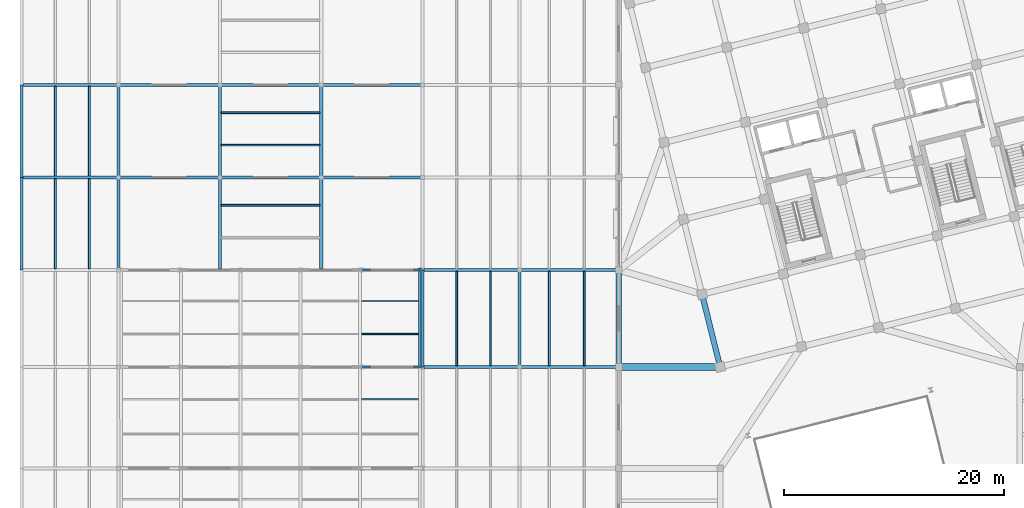
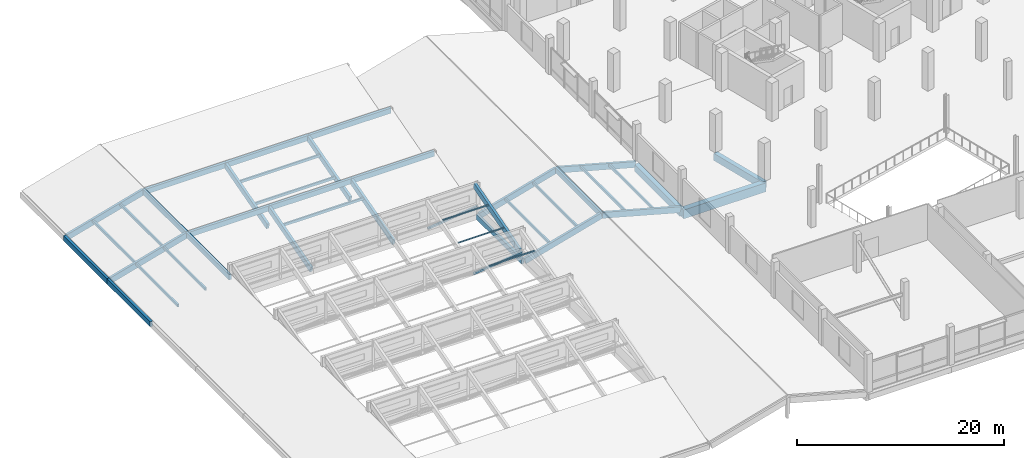
# One storey, part 17 of 77: 26 beams, 16 members.
"""IFC4 building model written with IfcOpenShell, lengths in metres."""

from ifc_helpers import new_model, si_unit, direction, frame, origin, origin_2d, place, context, subcontext, project, spatial, rectangle, hollow_rectangle, hollow_circle, extrude, material, material_profile, profile_set, type_object, element, save


model = new_model("IFC4")

# Units and contexts
model_context = context("Model", 3, precision=1e-05, world=origin(), true_north=direction((0.0, 1.0)))
body_context = subcontext(model_context, "Body", "Model", "MODEL_VIEW")
ifc_project = project(units=[si_unit("LENGTHUNIT", "METRE"), si_unit("AREAUNIT", "SQUARE_METRE"), si_unit("VOLUMEUNIT", "CUBIC_METRE"), si_unit("PLANEANGLEUNIT", "RADIAN"), si_unit("MASSUNIT", "GRAM", prefix="KILO")], contexts=[model_context])

# Site, building, storey
site_placement = place(None, origin())
site = spatial("IfcSite", under=ifc_project, at=site_placement, CompositionType="ELEMENT")
building_placement = place(site_placement, origin())
building = spatial("IfcBuilding", under=site, at=building_placement, Name="Meriwether Solvik Hall", CompositionType="ELEMENT")
storey_placement = place(building_placement, frame((0.0, 0.0, 9.89990234375)))
storey = spatial("IfcBuildingStorey", under=building, at=storey_placement, Name="L02", CompositionType="ELEMENT", Elevation=9.89990234375)

# Beams
ifc_material_1 = material(Name="Glulam Douglas-Fir 24F-V8 GL28h", Category="wood")
ifc_material_profile_1 = material_profile(ifc_material_1, rectangle(XDim=0.27294921875, YDim=0.610107421875, at=origin_2d()), Name="GLB-273X610")
ifc_profile_set_1 = profile_set([ifc_material_profile_1], Name="Glulam Douglas-Fir 24F-V8 GL28h")
beam_type_1 = type_object("IfcBeamType", Name="BM-GL-273X610", PredefinedType="SPANDREL", material=ifc_profile_set_1)
beam_1_placement = place(storey_placement, frame((5.199951171875, 50.0, -0.323974609375), z_axis=(0.0, 1.0, 0.0), x_axis=(-1.0, 0.0, 0.0)))
element("IfcBeam", 1, at=beam_1_placement, inside=storey, type_object=beam_type_1, Name="Roof Tie Beam 1:F-G (L02)", PredefinedType="SPANDREL", context=body_context, shape_type="SweptSolid", body=[
    extrude(rectangle(XDim=0.27294921875, YDim=0.610107421875, at=origin_2d()), origin(), (0.0, 0.0, 1.0), 8.39990234375),
])
beam_2_placement = place(storey_placement, frame((5.199951171875, 58.39990234375, -0.323974609375), z_axis=(0.0, 1.0, 0.0), x_axis=(-1.0, 0.0, 0.0)))
element("IfcBeam", 2, at=beam_2_placement, inside=storey, type_object=beam_type_1, Name="Roof Tie Beam 1:G-H (L02)", PredefinedType="SPANDREL", context=body_context, shape_type="SweptSolid", body=[
    extrude(rectangle(XDim=0.27294921875, YDim=0.610107421875, at=origin_2d()), origin(), (0.0, 0.0, 1.0), 8.400146484375),
])
beam_3_placement = place(storey_placement, frame((14.0, 50.0, 2.135986328125), z_axis=(0.0, 1.0, 0.0), x_axis=(-1.0, 0.0, 0.0)))
element("IfcBeam", 3, at=beam_3_placement, inside=storey, type_object=beam_type_1, Name="Roof Tie Beam 2:F-G (L02)", PredefinedType="SPANDREL", context=body_context, shape_type="SweptSolid", body=[
    extrude(rectangle(XDim=0.27294921875, YDim=0.610107421875, at=origin_2d()), origin(), (0.0, 0.0, 1.0), 8.39990234375),
])
beam_4_placement = place(storey_placement, frame((14.0, 58.39990234375, 2.135986328125), z_axis=(0.0, 1.0, 0.0), x_axis=(-1.0, 0.0, 0.0)))
element("IfcBeam", 4, at=beam_4_placement, inside=storey, type_object=beam_type_1, Name="Roof Tie Beam 2:G-H (L02)", PredefinedType="SPANDREL", context=body_context, shape_type="SweptSolid", body=[
    extrude(rectangle(XDim=0.27294921875, YDim=0.610107421875, at=origin_2d()), origin(), (0.0, 0.0, 1.0), 8.400146484375),
])
for number, where, z_axis, x_axis, name in (
    (5, (14.0, 58.39990234375, 2.035888671875), (1.0, 0.0, 0.0), (0.0, 1.0, 0.0), "Roof Tie Beam G:2-3 (L02)"),
    (6, (23.199951171875, 58.39990234375, 2.035888671875), (1.0, 0.0, 0.0), (0.0, 1.0, 0.0), "Roof Tie Beam G:3-4 (L02)"),
):
    element("IfcBeam", number, at=place(storey_placement, frame(where, z_axis=z_axis, x_axis=x_axis)), inside=storey, type_object=beam_type_1, Name=name, PredefinedType="SPANDREL", context=body_context, shape_type="SweptSolid", body=[
        extrude(rectangle(XDim=0.27294921875, YDim=0.610107421875, at=origin_2d()), origin(), (0.0, 0.0, 1.0), 9.199951171875),
    ])
beam_5_placement = place(storey_placement, frame((32.39990234375, 58.39990234375, 2.035888671875), z_axis=(1.0, 0.0, 0.0), x_axis=(0.0, 1.0, 0.0)))
element("IfcBeam", 7, at=beam_5_placement, inside=storey, type_object=beam_type_1, Name="Roof Tie Beam G:4-5 (L02)", PredefinedType="SPANDREL", context=body_context, shape_type="SweptSolid", body=[
    extrude(rectangle(XDim=0.27294921875, YDim=0.610107421875, at=origin_2d()), origin(), (0.0, 0.0, 1.0), 9.2001953125),
])
for number, where, z_axis, x_axis, name in (
    (8, (14.0, 66.800048828125, 2.035888671875), (1.0, 0.0, 0.0), (0.0, 1.0, 0.0), "Roof Tie Beam H:2-3 (L02)"),
    (9, (23.199951171875, 66.800048828125, 2.035888671875), (1.0, 0.0, 0.0), (0.0, 1.0, 0.0), "Roof Tie Beam H:3-4 (L02)"),
):
    element("IfcBeam", number, at=place(storey_placement, frame(where, z_axis=z_axis, x_axis=x_axis)), inside=storey, type_object=beam_type_1, Name=name, PredefinedType="SPANDREL", context=body_context, shape_type="SweptSolid", body=[
        extrude(rectangle(XDim=0.27294921875, YDim=0.610107421875, at=origin_2d()), origin(), (0.0, 0.0, 1.0), 9.199951171875),
    ])
beam_6_placement = place(storey_placement, frame((32.39990234375, 66.800048828125, 2.035888671875), z_axis=(1.0, 0.0, 0.0), x_axis=(0.0, 1.0, 0.0)))
element("IfcBeam", 10, at=beam_6_placement, inside=storey, type_object=beam_type_1, Name="Roof Tie Beam H:4-5 (L02)", PredefinedType="SPANDREL", context=body_context, shape_type="SweptSolid", body=[
    extrude(rectangle(XDim=0.27294921875, YDim=0.610107421875, at=origin_2d()), origin(), (0.0, 0.0, 1.0), 9.2001953125),
])
for number, where, z_axis, x_axis, name in (
    (11, (41.60009765625, 41.199951171875, -0.323974609375), (0.0, 1.0, 0.0), (-1.0, 0.0, 0.0), "Roof Tie Beam 5:E-F (L02)"),
    (12, (50.39990234375, 41.199951171875, 2.135986328125), (0.0, 1.0, 0.0), (-1.0, 0.0, 0.0), "Roof Tie Beam 6:E-F (L02)"),
):
    element("IfcBeam", number, at=place(storey_placement, frame(where, z_axis=z_axis, x_axis=x_axis)), inside=storey, type_object=beam_type_1, Name=name, PredefinedType="SPANDREL", context=body_context, shape_type="SweptSolid", body=[
        extrude(rectangle(XDim=0.27294921875, YDim=0.610107421875, at=origin_2d()), origin(), (0.0, 0.0, 1.0), 8.800048828125),
    ])
ifc_material_2 = material(Name="Glulam Douglas-Fir 24F-V8 GL28h", Category="wood")
ifc_material_profile_2 = material_profile(ifc_material_2, rectangle(XDim=0.27294921875, YDim=0.68505859375, at=origin_2d()), Name="GLB-273X685")
ifc_profile_set_2 = profile_set([ifc_material_profile_2], Name="Glulam Douglas-Fir 24F-V8 GL28h")
beam_type_2 = type_object("IfcBeamType", Name="BM-GL-273X685", PredefinedType="BEAM", material=ifc_profile_set_2)
for number, where, z_axis, x_axis, name in (
    (13, (5.420166015625, 58.39990234375, -0.31298828125), (0.963077401933, 0.0, 0.269224660621), (0.0, 1.0, 0.0), "Raking Glulam Roof Rafter w1_west_aisle-G (L02)"),
    (14, (5.420166015625, 66.800048828125, -0.31298828125), (0.963077401933, 0.0, 0.269224660621), (0.0, 1.0, 0.0), "Raking Glulam Roof Rafter w1_west_aisle-H (L02)"),
):
    element("IfcBeam", number, at=place(storey_placement, frame(where, z_axis=z_axis, x_axis=x_axis)), inside=storey, type_object=beam_type_2, Name=name, PredefinedType="BEAM", context=body_context, shape_type="SweptSolid", body=[
        extrude(rectangle(XDim=0.27294921875, YDim=0.68505859375, at=origin_2d()), origin(), (0.0, 0.0, 1.0), 8.87158203125),
    ])
for number, where, z_axis, x_axis, name in (
    (15, (23.199951171875, 50.220703125, -0.312744140625), (0.0, 0.962733168116, 0.270453040303), (-1.0, 0.0, 0.0), "Raking Glulam Roof Rafter w1_north_s1-3 (L02)"),
    (16, (32.39990234375, 50.220703125, -0.312744140625), (0.0, 0.962733168116, 0.270453040303), (-1.0, 0.0, 0.0), "Raking Glulam Roof Rafter w1_north_s1-4 (L02)"),
    (17, (23.199951171875, 58.62060546875, -0.312744140625), (0.0, 0.962733168116, 0.270453040303), (-1.0, 0.0, 0.0), "Raking Glulam Roof Rafter w1_north_s2-3 (L02)"),
    (18, (32.39990234375, 58.62060546875, -0.312744140625), (0.0, 0.962733168116, 0.270453040303), (-1.0, 0.0, 0.0), "Raking Glulam Roof Rafter w1_north_s2-4 (L02)"),
):
    element("IfcBeam", number, at=place(storey_placement, frame(where, z_axis=z_axis, x_axis=x_axis)), inside=storey, type_object=beam_type_2, Name=name, PredefinedType="BEAM", context=body_context, shape_type="SweptSolid", body=[
        extrude(rectangle(XDim=0.27294921875, YDim=0.68505859375, at=origin_2d()), origin(), (0.0, 0.0, 1.0), 8.459228515625),
    ])
for number, where, z_axis, x_axis, name in (
    (19, (41.8203125, 41.199951171875, -0.31298828125), (0.963077401933, 0.0, 0.269224660621), (0.0, 1.0, 0.0), "Raking Glulam Roof Rafter w1_east_gbl_w-E (L02)"),
    (20, (41.8203125, 50.0, -0.31298828125), (0.963077401933, 0.0, 0.269224660621), (0.0, 1.0, 0.0), "Raking Glulam Roof Rafter w1_east_gbl_w-F (L02)"),
):
    element("IfcBeam", number, at=place(storey_placement, frame(where, z_axis=z_axis, x_axis=x_axis)), inside=storey, type_object=beam_type_2, Name=name, PredefinedType="BEAM", context=body_context, shape_type="SweptSolid", body=[
        extrude(rectangle(XDim=0.27294921875, YDim=0.68505859375, at=origin_2d()), origin(), (0.0, 0.0, 1.0), 8.87158203125),
    ])
for number, where, z_axis, x_axis, name in (
    (21, (59.181640625, 41.199951171875, -0.314208984375), (-0.964611383686, 0.0, 0.263675707002), (0.0, -1.0, 0.0), "Raking Glulam Roof Rafter w1_east_gbl_e-E (L02)"),
    (22, (59.181640625, 50.0, -0.314208984375), (-0.964611383686, 0.0, 0.263675707002), (0.0, -1.0, 0.0), "Raking Glulam Roof Rafter w1_east_gbl_e-F (L02)"),
):
    element("IfcBeam", number, at=place(storey_placement, frame(where, z_axis=z_axis, x_axis=x_axis)), inside=storey, type_object=beam_type_2, Name=name, PredefinedType="BEAM", context=body_context, shape_type="SweptSolid", body=[
        extrude(rectangle(XDim=0.27294921875, YDim=0.68505859375, at=origin_2d()), origin(), (0.0, 0.0, 1.0), 9.064697265625),
    ])
beam_7_placement = place(storey_placement, frame((41.360107421875, 41.293701171875, 0.895751953125), z_axis=(0.0, 0.961933763025, 0.273282702624), x_axis=(-1.0, 0.0, 0.0)))
element("IfcBeam", 23, at=beam_7_placement, inside=storey, type_object=beam_type_2, Name="Sanctuary Sawtooth Rafter 4.6", PredefinedType="BEAM", context=body_context, shape_type="SweptSolid", body=[
    extrude(rectangle(XDim=0.27294921875, YDim=0.68505859375, at=origin_2d()), origin(), (0.0, 0.0, 1.0), 9.14794921875),
])
ifc_material_3 = material(Name="Concrete C40/50", Category="concrete")
ifc_material_profile_3 = material_profile(ifc_material_3, rectangle(XDim=0.5, YDim=0.85009765625, at=origin_2d()), Name="RCB-500X850")
ifc_profile_set_3 = profile_set([ifc_material_profile_3], Name="Concrete C40/50")
beam_type_3 = type_object("IfcBeamType", Name="BM-RC-500X850", PredefinedType="BEAM", material=ifc_profile_set_3)
beam_8_placement = place(storey_placement, frame((59.39990234375, 41.199951171875, -0.7548828125), z_axis=(0.0, 1.0, 0.0), x_axis=(-1.0, 0.0, 0.0)))
element("IfcBeam", 24, at=beam_8_placement, inside=storey, type_object=beam_type_3, Name="Podium Girder 7:E-F (L02)", PredefinedType="BEAM", context=body_context, shape_type="SweptSolid", body=[
    extrude(rectangle(XDim=0.5, YDim=0.85009765625, at=origin_2d()), origin(), (0.0, 0.0, 1.0), 8.800048828125),
])
beam_9_placement = place(storey_placement, frame((68.60009765625, 41.199951171875, -0.7548828125), z_axis=(-0.241944251278, 0.970290152106, 0.0), x_axis=(-0.970290152106, -0.241944251278, 0.0)))
element("IfcBeam", 25, at=beam_9_placement, inside=storey, type_object=beam_type_3, Name="Tower Girder T1:TA-TB (L02)", PredefinedType="BEAM", context=body_context, shape_type="SweptSolid", body=[
    extrude(rectangle(XDim=0.5, YDim=0.85009765625, at=origin_2d()), origin(), (0.0, 0.0, 1.0), 6.80029296875),
])
ifc_material_4 = material(Name="Concrete C40/50", Category="concrete")
ifc_material_profile_4 = material_profile(ifc_material_4, rectangle(XDim=0.60009765625, YDim=1.050048828125, at=origin_2d()), Name="RCB-600X1050")
ifc_profile_set_4 = profile_set([ifc_material_profile_4], Name="Concrete C40/50")
beam_type_4 = type_object("IfcBeamType", Name="BM-RC-600X1050", PredefinedType="BEAM", material=ifc_profile_set_4)
beam_10_placement = place(storey_placement, frame((68.60009765625, 41.199951171875, -0.85498046875), z_axis=(-1.0, 0.0, 0.0), x_axis=(0.0, -1.0, 0.0)))
element("IfcBeam", 26, at=beam_10_placement, inside=storey, type_object=beam_type_4, Name="Diaphragm Collector Girder T1/TA-7/E (L02)", PredefinedType="BEAM", context=body_context, shape_type="SweptSolid", body=[
    extrude(rectangle(XDim=0.60009765625, YDim=1.050048828125, at=origin_2d()), origin(), (0.0, 0.0, 1.0), 9.2001953125),
])

# Members
ifc_material_5 = material(Name="Steel A500 Grade C", Category="steel")
ifc_material_profile_5 = material_profile(ifc_material_5, hollow_rectangle(XDim=0.202880859375, YDim=0.202880859375, WallThickness=0.0126953125, at=origin_2d()), Name="HSS203X203X12.7")
ifc_profile_set_5 = profile_set([ifc_material_profile_5], Name="Steel A500 Grade C")
member_type_1 = type_object("IfcMemberType", Name="MEM-BR-HSS203", PredefinedType="BRACE", material=ifc_profile_set_5)
member_1_placement = place(storey_placement, frame((36.080078125, 41.199951171875, 0.150146484375), z_axis=(0.993841313907, 0.0, 0.110812647163), x_axis=(0.0, 1.0, 0.0)))
element("IfcMember", 27, at=member_1_placement, inside=storey, type_object=member_type_1, Name="Sanctuary Truss T4 Diagonal 5", PredefinedType="BRACE", context=body_context, shape_type="SweptSolid", body=[
    extrude(hollow_rectangle(XDim=0.202880859375, YDim=0.202880859375, WallThickness=0.0126953125, at=origin_2d()), origin(), (0.0, 0.0, 1.0), 5.55419921875),
])
member_2_placement = place(storey_placement, frame((36.080078125, 50.0, 0.150146484375), z_axis=(0.992279227016, 0.0, 0.124023931692), x_axis=(0.0, 1.0, 0.0)))
element("IfcMember", 28, at=member_2_placement, inside=storey, type_object=member_type_1, Name="Sanctuary Truss T5 Diagonal 5", PredefinedType="BRACE", context=body_context, shape_type="SweptSolid", body=[
    extrude(hollow_rectangle(XDim=0.202880859375, YDim=0.202880859375, WallThickness=0.0126953125, at=origin_2d()), origin(), (0.0, 0.0, 1.0), 5.56298828125),
])
ifc_material_6 = material(Name="Steel A500 Grade C", Category="steel")
ifc_material_profile_6 = material_profile(ifc_material_6, hollow_circle(Radius=0.084228515625, WallThickness=0.0078125, at=origin_2d()), Name="CHS168X7.9")
ifc_profile_set_6 = profile_set([ifc_material_profile_6], Name="Steel A500 Grade C")
member_type_2 = type_object("IfcMemberType", Name="MEM-PRL-CHS168", PredefinedType="PURLIN", material=ifc_profile_set_6)
member_3_placement = place(storey_placement, frame((36.068115234375, 44.19189453125, 1.968994140625), z_axis=(1.0, 0.0, 0.0), x_axis=(0.0, 1.0, 0.0)))
element("IfcMember", 29, at=member_3_placement, inside=storey, type_object=member_type_2, Name="Sanctuary Sawtooth Purlin 4.5.1", PredefinedType="PURLIN", context=body_context, shape_type="SweptSolid", body=[
    extrude(hollow_circle(Radius=0.084228515625, WallThickness=0.0078125, at=origin_2d()), origin(), (0.0, 0.0, 1.0), 5.159912109375),
])
ifc_material_7 = material(Name="Glulam Douglas-Fir 24F-V8 GL28h", Category="wood")
ifc_material_profile_7 = material_profile(ifc_material_7, rectangle(XDim=0.175048828125, YDim=0.304931640625, at=origin_2d()), Name="GLM-175X305")
ifc_profile_set_7 = profile_set([ifc_material_profile_7], Name="Glulam Douglas-Fir 24F-V8 GL28h")
member_type_3 = type_object("IfcMemberType", Name="MEM-PRL-GL175", PredefinedType="PURLIN", material=ifc_profile_set_7)
for number, where, z_axis, x_axis, name in (
    (30, (8.280029296875, 50.132568359375, 0.689453125), (0.0, 1.0, 0.0), (-1.0, 0.0, 0.0), "Sloped Roof Glulam Purlin w1_west_aisle-6.1"),
    (31, (11.360107421875, 50.132568359375, 1.550537109375), (0.0, 1.0, 0.0), (-1.0, 0.0, 0.0), "Sloped Roof Glulam Purlin w1_west_aisle-6.2"),
    (32, (8.280029296875, 58.532470703125, 0.689453125), (0.0, 1.0, 0.0), (-1.0, 0.0, 0.0), "Sloped Roof Glulam Purlin w1_west_aisle-7.1"),
    (33, (11.360107421875, 58.532470703125, 1.550537109375), (0.0, 1.0, 0.0), (-1.0, 0.0, 0.0), "Sloped Roof Glulam Purlin w1_west_aisle-7.2"),
):
    element("IfcMember", number, at=place(storey_placement, frame(where, z_axis=z_axis, x_axis=x_axis)), inside=storey, type_object=member_type_3, Name=name, PredefinedType="PURLIN", context=body_context, shape_type="SweptSolid", body=[
        extrude(rectangle(XDim=0.175048828125, YDim=0.304931640625, at=origin_2d()), origin(), (0.0, 0.0, 1.0), 8.135009765625),
    ])
for number, where, z_axis, x_axis, name in (
    (34, (23.33251953125, 55.8798828125, 1.48046875), (1.0, 0.0, 0.0), (0.0, 1.0, 0.0), "Sloped Roof Glulam Purlin w1_north_s1-1.2"),
    (35, (23.33251953125, 61.340087890625, 0.654296875), (1.0, 0.0, 0.0), (0.0, 1.0, 0.0), "Sloped Roof Glulam Purlin w1_north_s2-1.1"),
    (36, (23.33251953125, 64.280029296875, 1.48046875), (1.0, 0.0, 0.0), (0.0, 1.0, 0.0), "Sloped Roof Glulam Purlin w1_north_s2-1.2"),
):
    element("IfcMember", number, at=place(storey_placement, frame(where, z_axis=z_axis, x_axis=x_axis)), inside=storey, type_object=member_type_3, Name=name, PredefinedType="PURLIN", context=body_context, shape_type="SweptSolid", body=[
        extrude(rectangle(XDim=0.175048828125, YDim=0.304931640625, at=origin_2d()), origin(), (0.0, 0.0, 1.0), 8.93505859375),
    ])
for number, where, z_axis, x_axis, name in (
    (37, (44.679931640625, 41.33251953125, 0.689453125), (0.0, 1.0, 0.0), (-1.0, 0.0, 0.0), "Sloped Roof Glulam Purlin w1_east_gbl_w-5.1"),
    (38, (47.760009765625, 41.33251953125, 1.550537109375), (0.0, 1.0, 0.0), (-1.0, 0.0, 0.0), "Sloped Roof Glulam Purlin w1_east_gbl_w-5.2"),
    (39, (56.25, 41.33251953125, 0.689697265625), (0.0, 1.0, 0.0), (-1.0, 0.0, 0.0), "Sloped Roof Glulam Purlin w1_east_gbl_e-5.1"),
    (40, (53.10009765625, 41.33251953125, 1.55078125), (0.0, 1.0, 0.0), (-1.0, 0.0, 0.0), "Sloped Roof Glulam Purlin w1_east_gbl_e-5.2"),
):
    element("IfcMember", number, at=place(storey_placement, frame(where, z_axis=z_axis, x_axis=x_axis)), inside=storey, type_object=member_type_3, Name=name, PredefinedType="PURLIN", context=body_context, shape_type="SweptSolid", body=[
        extrude(rectangle(XDim=0.175048828125, YDim=0.304931640625, at=origin_2d()), origin(), (0.0, 0.0, 1.0), 8.534912109375),
    ])
ifc_material_8 = material(Name="Steel A500 Grade C", Category="steel")
ifc_material_profile_8 = material_profile(ifc_material_8, hollow_rectangle(XDim=0.126953125, YDim=0.126953125, WallThickness=0.0078125, at=origin_2d()), Name="HSS127X127X7.9")
ifc_profile_set_8 = profile_set([ifc_material_profile_8], Name="Steel A500 Grade C")
member_type_4 = type_object("IfcMemberType", Name="MEM-PRL-HSS127", PredefinedType="PURLIN", material=ifc_profile_set_8)
for number, where, z_axis, x_axis, name in (
    (41, (36.068115234375, 38.256103515625, 2.839599609375), (1.0, 0.0, 0.0), (0.0, 1.0, 0.0), "Sanctuary Sawtooth Purlin 3.5.2"),
    (42, (36.068115234375, 47.18408203125, 2.839599609375), (1.0, 0.0, 0.0), (0.0, 1.0, 0.0), "Sanctuary Sawtooth Purlin 4.5.2"),
):
    element("IfcMember", number, at=place(storey_placement, frame(where, z_axis=z_axis, x_axis=x_axis)), inside=storey, type_object=member_type_4, Name=name, PredefinedType="PURLIN", context=body_context, shape_type="SweptSolid", body=[
        extrude(hollow_rectangle(XDim=0.126953125, YDim=0.126953125, WallThickness=0.0078125, at=origin_2d()), origin(), (0.0, 0.0, 1.0), 5.159912109375),
    ])

save(model, "model.ifc")
